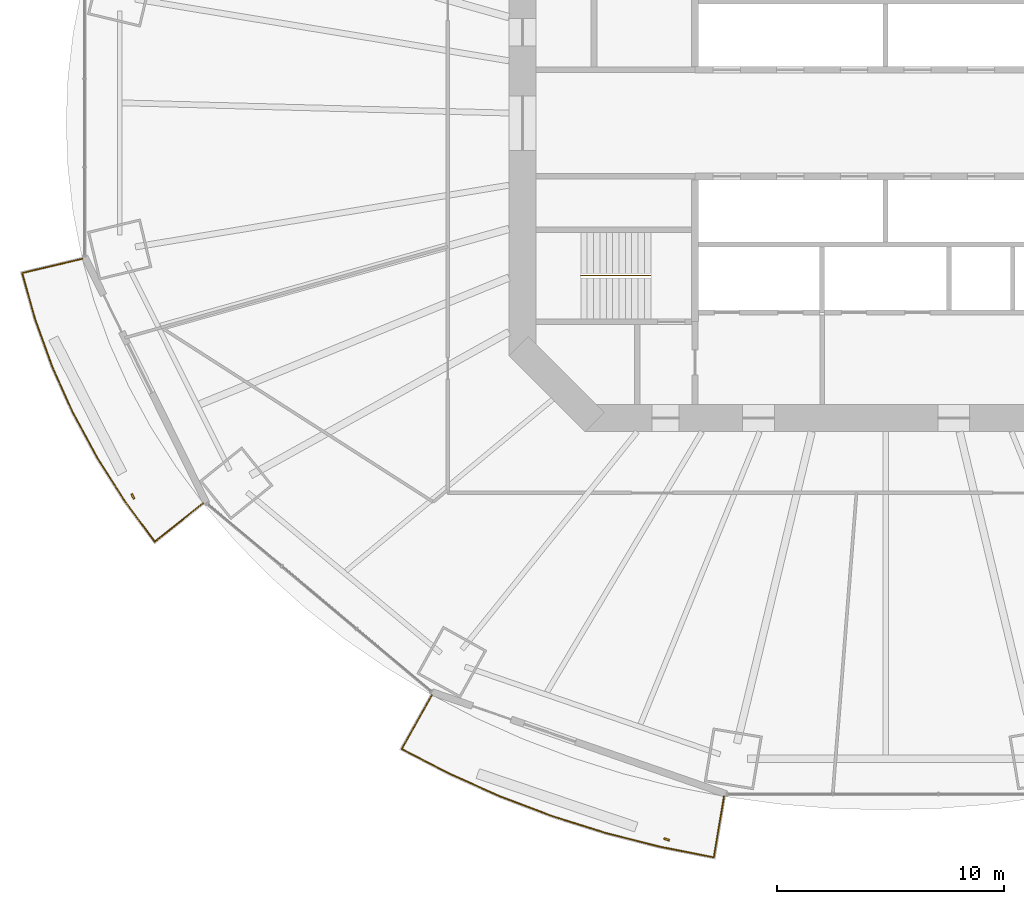
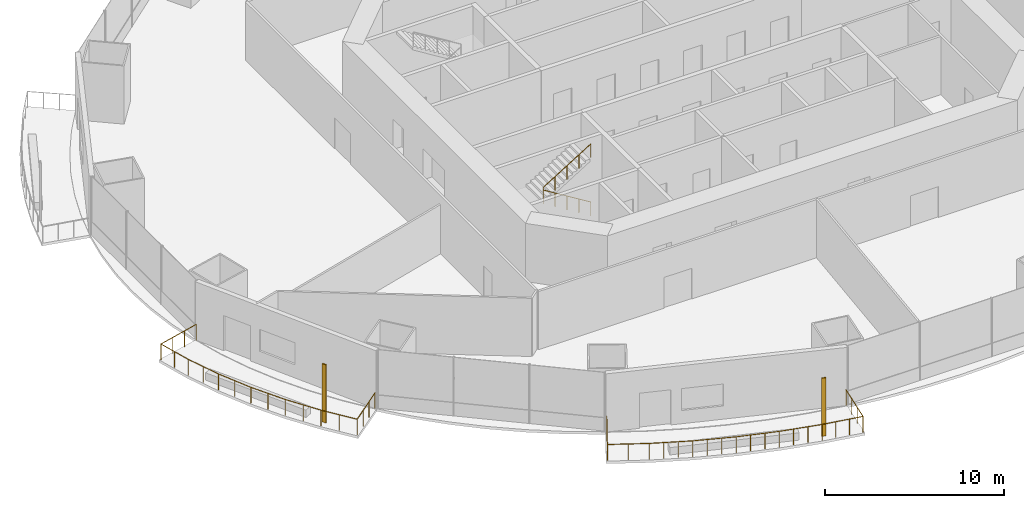
# One storey, part 18 of 23: 3 railings, 2 shading devices.
"""IFC4 building model written with IfcOpenShell, lengths in metres."""

import ifcopenshell
import ifcopenshell.guid

model = None  # the IFC model being written
_history = None  # IfcOwnerHistory: only IFC2X3 demands one
_inside = {}  # id of a spatial element -> (the spatial element, [elements in it])
_under = {}  # id of a project, library or spatial element -> (it, [spatial elements below it])
_declared = {}  # id of a project -> (the project, [libraries it declares])
_typed = {}  # id of a type object -> (the type object, [elements of that type])
_made_of = {}  # id of a material, layer set ... -> (it, [elements and type objects made of it])


def new_model(schema):
    """Start an empty IFC model of exactly this schema.

    Asked for "IFC4X3", IfcOpenShell would pick the latest addendum, in which some entities
    have other attributes; the version numbers below select the first issue.
    IFC2X3 requires an IfcOwnerHistory on every rooted entity: one is made here for all.
    """
    global model, _history
    if schema == "IFC4X3":
        model = ifcopenshell.file(schema_version=(4, 3, 0, 0))
    else:
        model = ifcopenshell.file(schema=schema)
    _inside.clear()
    _under.clear()
    _declared.clear()
    _typed.clear()
    _made_of.clear()
    _history = None
    if model.schema == "IFC2X3":
        org = make("IfcOrganization", Name="unknown")
        user = make(
            "IfcPersonAndOrganization",
            ThePerson=make("IfcPerson", FamilyName="unknown"),
            TheOrganization=org,
        )
        app = make(
            "IfcApplication",
            ApplicationDeveloper=org,
            Version="unknown",
            ApplicationFullName="unknown",
            ApplicationIdentifier="unknown",
        )
        _history = make(
            "IfcOwnerHistory",
            OwningUser=user,
            OwningApplication=app,
            ChangeAction="ADDED",
            CreationDate=0,
        )
    return model


def make(cls, **values):
    """One entity of the class cls with the attributes given. An attribute that is None is left unset."""
    return model.create_entity(
        cls, **{name: value for name, value in values.items() if value is not None}
    )


def rooted(cls, **values):
    """An entity with a GlobalId (a new one), such as an element, a storey or a relation."""
    return make(cls, GlobalId=ifcopenshell.guid.new(), OwnerHistory=_history, **values)


def si_unit(unit_type, name, prefix=None):
    """IfcSIUnit, for example si_unit("LENGTHUNIT", "METRE", prefix="MILLI")."""
    return make("IfcSIUnit", UnitType=unit_type, Prefix=prefix, Name=name)


def assignment(units):
    """IfcUnitAssignment: the units of a project."""
    return None if units is None else make("IfcUnitAssignment", Units=units)


def point(xyz):
    """IfcCartesianPoint."""
    return None if xyz is None else make("IfcCartesianPoint", Coordinates=xyz)


def direction(xyz):
    """IfcDirection."""
    return None if xyz is None else make("IfcDirection", DirectionRatios=xyz)


def frame(location, z_axis=None, x_axis=None):
    """IfcAxis2Placement3D, a coordinate frame: its origin and axes. An axis left out is left unset."""
    return make(
        "IfcAxis2Placement3D",
        Location=point(location),
        Axis=direction(z_axis),
        RefDirection=direction(x_axis),
    )


def frame_2d(location, x_axis=None):
    """IfcAxis2Placement2D, a coordinate frame in the plane: its origin and x axis."""
    return make(
        "IfcAxis2Placement2D", Location=point(location), RefDirection=direction(x_axis)
    )


def origin():
    """The frame at (0, 0, 0) with its axes left unset."""
    return frame((0.0, 0.0, 0.0))


def origin_2d():
    """The frame at (0, 0) in the plane with its x axis left unset."""
    return frame_2d((0.0, 0.0))


def place(relative_to, where):
    """IfcLocalPlacement: puts the frame where relative to a parent placement (None: the world)."""
    return make(
        "IfcLocalPlacement", PlacementRelTo=relative_to, RelativePlacement=where
    )


def context(
    kind, dimensions, precision=None, world=None, true_north=None, identifier=None
):
    """IfcGeometricRepresentationContext, for example the 3D "Model" context."""
    return make(
        "IfcGeometricRepresentationContext",
        ContextIdentifier=identifier,
        ContextType=kind,
        CoordinateSpaceDimension=dimensions,
        Precision=precision,
        WorldCoordinateSystem=world,
        TrueNorth=true_north,
    )


def subcontext(parent, identifier, kind, view, scale=None):
    """IfcGeometricRepresentationSubContext, for example "Body" below "Model"."""
    return make(
        "IfcGeometricRepresentationSubContext",
        ContextIdentifier=identifier,
        ContextType=kind,
        ParentContext=parent,
        TargetScale=scale,
        TargetView=view,
    )


def project(units=None, contexts=None):
    """IfcProject with its units and contexts."""
    return rooted(
        "IfcProject",
        Name="project",
        RepresentationContexts=contexts,
        UnitsInContext=assignment(units),
    )


def spatial(cls, under=None, at=None, **own):
    """A site, building, storey or space (cls), placed at a placement, below another one or the project."""
    s = rooted(cls, ObjectPlacement=at, **own)
    if under is not None:
        _under.setdefault(under.id(), (under, []))[1].append(s)
    return s


def profile(cls, at=None, kind="AREA", **sizes):
    """A parametric profile (cls). Its sizes go by their IFC names, for example OverallWidth=200.0."""
    return make(cls, ProfileType=kind, Position=at, **sizes)


def rectangle(**sizes):
    """IfcRectangleProfileDef."""
    return profile("IfcRectangleProfileDef", **sizes)


def circle(**sizes):
    """IfcCircleProfileDef."""
    return profile("IfcCircleProfileDef", **sizes)


def extrude(swept, where, along, depth):
    """IfcExtrudedAreaSolid: the profile swept, set in the frame where, extruded along a direction by depth."""
    return make(
        "IfcExtrudedAreaSolid",
        SweptArea=swept,
        Position=where,
        ExtrudedDirection=direction(along),
        Depth=depth,
    )


def shape(context_of_items, identifier, shape_type, items):
    """IfcShapeRepresentation: the items that make up one representation, for example the "Body"."""
    return make(
        "IfcShapeRepresentation",
        ContextOfItems=context_of_items,
        RepresentationIdentifier=identifier,
        RepresentationType=shape_type,
        Items=items,
    )


def material(Name=None, Category=None):
    """IfcMaterial."""
    return make("IfcMaterial", Name=Name, Category=Category)


def material_profile(
    of_material, cross_section, Name=None, Category=None, Priority=None
):
    """IfcMaterialProfile: a cross section and its material."""
    return make(
        "IfcMaterialProfile",
        Name=Name,
        Material=of_material,
        Profile=cross_section,
        Priority=Priority,
        Category=Category,
    )


def profile_set(profiles, Name=None, composite=None):
    """IfcMaterialProfileSet."""
    return make(
        "IfcMaterialProfileSet",
        Name=Name,
        MaterialProfiles=profiles,
        CompositeProfile=composite,
    )


def made_of(thing, what):
    """Note that an element or type object is made of a material, layer set ...; save() writes the relation."""
    if what is not None:
        _made_of.setdefault(what.id(), (what, []))[1].append(thing)
    return thing


def type_object(cls, material=None, **own):
    """A type object (cls), such as IfcWallType, which elements share."""
    return made_of(rooted(cls, **own), material)


def element(
    cls,
    number,
    at=None,
    inside=None,
    cuts=None,
    type_object=None,
    material=None,
    context=None,
    identifier="Body",
    shape_type=None,
    held_by="IfcProductDefinitionShape",
    body=None,
    shapes=None,
    **own,
):
    """One element of the class cls, such as IfcWall. Its Tag is "e" and its number.

    at: its placement. inside: the storey or other place that contains it. cuts: it is an
    opening in that element (IfcRelVoidsElement). A single representation is given by context,
    identifier, shape_type and body (its items); several are given by shapes. held_by: the class
    of the entity that holds the representations. save() writes the other relations.
    """
    e = rooted(cls, Tag="e%d" % number, ObjectPlacement=at, **own)
    if body is not None:
        shapes = [shape(context, identifier, shape_type, body)]
    if shapes is not None:
        e.Representation = make(held_by, Representations=shapes)
    if inside is not None:
        _inside.setdefault(inside.id(), (inside, []))[1].append(e)
    if cuts is not None:
        rooted(
            "IfcRelVoidsElement", RelatingBuildingElement=cuts, RelatedOpeningElement=e
        )
    if type_object is not None:
        _typed.setdefault(type_object.id(), (type_object, []))[1].append(e)
    return made_of(e, material)


def aggregate(whole, parts):
    """IfcRelAggregates: a whole, such as a stair, and the parts it consists of."""
    return rooted("IfcRelAggregates", RelatingObject=whole, RelatedObjects=parts)


def save(model, path):
    """Write the relations noted so far, then the file.

    IfcRelAggregates (storeys below a building ...), IfcRelContainedInSpatialStructure (elements
    in a storey), IfcRelDefinesByType, IfcRelAssociatesMaterial and IfcRelDeclares: one each for
    every whole, place, type object, material and project.
    """
    for whole, parts in _under.values():
        aggregate(whole, parts)
    for where, things in _inside.values():
        rooted(
            "IfcRelContainedInSpatialStructure",
            RelatedElements=things,
            RelatingStructure=where,
        )
    for kind, things in _typed.values():
        rooted("IfcRelDefinesByType", RelatedObjects=things, RelatingType=kind)
    for what, things in _made_of.values():
        rooted("IfcRelAssociatesMaterial", RelatedObjects=things, RelatingMaterial=what)
    for by, libraries in _declared.values():
        rooted("IfcRelDeclares", RelatingContext=by, RelatedDefinitions=libraries)
    model.write(path)


model = new_model("IFC4")

# Units and contexts
model_context = context("Model", 3, precision=1e-05, world=origin(), true_north=direction((0.0, 1.0)))
body_context = subcontext(model_context, "Body", "Model", "MODEL_VIEW")
ifc_project = project(units=[si_unit("LENGTHUNIT", "METRE"), si_unit("AREAUNIT", "SQUARE_METRE"), si_unit("VOLUMEUNIT", "CUBIC_METRE"), si_unit("PLANEANGLEUNIT", "RADIAN"), si_unit("MASSUNIT", "GRAM", prefix="KILO")], contexts=[model_context])

# Site, building, storey
site_placement = place(None, origin())
site = spatial("IfcSite", under=ifc_project, at=site_placement, CompositionType="ELEMENT")
building_placement = place(site_placement, origin())
building = spatial("IfcBuilding", under=site, at=building_placement, Name="Marenthal Gate Tower", CompositionType="ELEMENT")
storey_placement = place(building_placement, frame((0.0, 0.0, 62.050048828125)))
storey = spatial("IfcBuildingStorey", under=building, at=storey_placement, Name="L11", CompositionType="ELEMENT", Elevation=62.050048828125)

# Railings
ifc_material_1 = material(Name="Stainless steel", Category="steel")
railing_type_1 = type_object("IfcRailingType", Name="Balcony guard 1100", PredefinedType="GUARDRAIL", material=ifc_material_1)
railing_1_placement = place(storey_placement, frame((-30.078369140625, -16.754150390625, 0.0)))
element("IfcRailing", 1, at=railing_1_placement, inside=storey, type_object=railing_type_1, Name="Balcony guard L11 bay 9", PredefinedType="GUARDRAIL", context=body_context, shape_type="SweptSolid", body=[
    extrude(circle(Radius=0.02392578125, at=origin_2d()), frame((0.0, 0.0, 1.076171875), z_axis=(-0.782104673264, -0.6229732083, -0.014719436128), x_axis=(0.623040706516, -0.782189413137, 0.0)), (0.0, 0.0, 1.0), 2.72021484375),
    extrude(circle(Radius=0.02392578125, at=origin_2d()), frame((-2.12744140625, -1.694580078125, 1.0361328125), z_axis=(-0.59484873049, 0.803837662613, 0.0), x_axis=(-0.803837662613, -0.59484873049, 0.0)), (0.0, 0.0, 1.0), 2.204345703125),
    extrude(circle(Radius=0.02392578125, at=origin_2d()), frame((-3.438720703125, 0.077392578125, 1.0361328125), z_axis=(-0.537628198706, 0.843182020655, 0.0), x_axis=(-0.843182020655, -0.537628198706, 0.0)), (0.0, 0.0, 1.0), 2.26611328125),
    extrude(circle(Radius=0.02392578125, at=origin_2d()), frame((-4.656982421875, 1.988037109375, 1.0361328125), z_axis=(-0.475471623431, 0.879731058513, 0.0), x_axis=(-0.879731058513, -0.475471623431, 0.0)), (0.0, 0.0, 1.0), 2.2490234375),
    extrude(circle(Radius=0.02392578125, at=origin_2d()), frame((-5.726318359375, 3.966552734375, 1.0361328125), z_axis=(-0.40966465878, 0.912236190549, 0.0), x_axis=(-0.912236190549, -0.40966465878, 0.0)), (0.0, 0.0, 1.0), 2.233642578125),
    extrude(circle(Radius=0.02392578125, at=origin_2d()), frame((-6.641357421875, 6.004150390625, 1.0361328125), z_axis=(-0.340268465621, 0.94032833165, 0.0), x_axis=(-0.94032833165, -0.340268465621, 0.0)), (0.0, 0.0, 1.0), 2.220703125),
    extrude(circle(Radius=0.02392578125, at=origin_2d()), frame((-7.39697265625, 8.09228515625, 1.0361328125), z_axis=(-0.269464118276, 0.96301043035, 0.0), x_axis=(-0.96301043035, -0.269464118276, 0.0)), (0.0, 0.0, 1.0), 2.130126953125),
    extrude(circle(Radius=0.02392578125, at=origin_2d()), frame((-7.970947265625, 10.1435546875, 1.0361328125), z_axis=(0.972926666051, 0.23064491576, 0.014718196959), x_axis=(-0.230669901584, 0.973032063451, 0.0)), (0.0, 0.0, 1.0), 2.720458984375),
    extrude(circle(Radius=0.02099609375, at=origin_2d()), origin(), (0.0, 0.0, 1.0), 1.052001953125),
    extrude(circle(Radius=0.02099609375, at=origin_2d()), frame((-0.709228515625, -0.56494140625, -0.013427734375)), (0.0, 0.0, 1.0), 1.052001953125),
    extrude(circle(Radius=0.02099609375, at=origin_2d()), frame((-1.418212890625, -1.129638671875, -0.026611328125)), (0.0, 0.0, 1.0), 1.052001953125),
    extrude(circle(Radius=0.02099609375, at=origin_2d()), frame((-2.12744140625, -1.694580078125, -0.0400390625)), (0.0, 0.0, 1.0), 1.052001953125),
    extrude(circle(Radius=0.02099609375, at=origin_2d()), frame((-2.783203125, -0.80859375, -0.0400390625)), (0.0, 0.0, 1.0), 1.052001953125),
    extrude(circle(Radius=0.02099609375, at=origin_2d()), frame((-3.438720703125, 0.077392578125, -0.0400390625)), (0.0, 0.0, 1.0), 1.052001953125),
    extrude(circle(Radius=0.02099609375, at=origin_2d()), frame((-4.0478515625, 1.03271484375, -0.0400390625)), (0.0, 0.0, 1.0), 1.052001953125),
    extrude(circle(Radius=0.02099609375, at=origin_2d()), frame((-4.656982421875, 1.988037109375, -0.0400390625)), (0.0, 0.0, 1.0), 1.052001953125),
    extrude(circle(Radius=0.02099609375, at=origin_2d()), frame((-5.191650390625, 2.977294921875, -0.0400390625)), (0.0, 0.0, 1.0), 1.052001953125),
    extrude(circle(Radius=0.02099609375, at=origin_2d()), frame((-5.726318359375, 3.966552734375, -0.0400390625)), (0.0, 0.0, 1.0), 1.052001953125),
    extrude(circle(Radius=0.02099609375, at=origin_2d()), frame((-6.183837890625, 4.9853515625, -0.0400390625)), (0.0, 0.0, 1.0), 1.052001953125),
    extrude(circle(Radius=0.02099609375, at=origin_2d()), frame((-6.641357421875, 6.004150390625, -0.0400390625)), (0.0, 0.0, 1.0), 1.052001953125),
    extrude(circle(Radius=0.02099609375, at=origin_2d()), frame((-7.01904296875, 7.04833984375, -0.0400390625)), (0.0, 0.0, 1.0), 1.052001953125),
    extrude(circle(Radius=0.02099609375, at=origin_2d()), frame((-7.39697265625, 8.09228515625, -0.0400390625)), (0.0, 0.0, 1.0), 1.052001953125),
    extrude(circle(Radius=0.02099609375, at=origin_2d()), frame((-7.68408203125, 9.117919921875, -0.0400390625)), (0.0, 0.0, 1.0), 1.052001953125),
    extrude(circle(Radius=0.02099609375, at=origin_2d()), frame((-7.970947265625, 10.1435546875, -0.0400390625)), (0.0, 0.0, 1.0), 1.052001953125),
    extrude(circle(Radius=0.02099609375, at=origin_2d()), frame((-7.088623046875, 10.352783203125, -0.026611328125)), (0.0, 0.0, 1.0), 1.052001953125),
    extrude(circle(Radius=0.02099609375, at=origin_2d()), frame((-6.20654296875, 10.561767578125, -0.013427734375)), (0.0, 0.0, 1.0), 1.052001953125),
    extrude(circle(Radius=0.02099609375, at=origin_2d()), frame((-5.32421875, 10.77099609375, 0.0)), (0.0, 0.0, 1.0), 1.052001953125),
])
railing_2_placement = place(storey_placement, frame((-7.12451171875, -29.67431640625, 0.0)))
element("IfcRailing", 2, at=railing_2_placement, inside=storey, type_object=railing_type_1, Name="Balcony guard L11 bay 11", PredefinedType="GUARDRAIL", context=body_context, shape_type="SweptSolid", body=[
    extrude(circle(Radius=0.02392578125, at=origin_2d()), frame((0.0, 0.0, 1.076171875), z_axis=(-0.164599482451, -0.986250661205, -0.014718819587), x_axis=(0.986357511038, -0.164617315064, 0.0)), (0.0, 0.0, 1.0), 2.72021484375),
    extrude(circle(Radius=0.02392578125, at=origin_2d()), frame((-0.44775390625, -2.682861328125, 1.0361328125), z_axis=(-0.981247114518, 0.192753988932, 0.0), x_axis=(-0.192753988932, -0.981247114518, 0.0)), (0.0, 0.0, 1.0), 2.416748046875),
    extrude(circle(Radius=0.02392578125, at=origin_2d()), frame((-2.819091796875, -2.217041015625, 1.0361328125), z_axis=(-0.969164557422, 0.24641440834, 0.0), x_axis=(-0.24641440834, -0.969164557422, 0.0)), (0.0, 0.0, 1.0), 2.48681640625),
    extrude(circle(Radius=0.02392578125, at=origin_2d()), frame((-5.229248046875, -1.604248046875, 1.0361328125), z_axis=(-0.953670609563, 0.300852735495, 0.0), x_axis=(-0.300852735495, -0.953670609563, 0.0)), (0.0, 0.0, 1.0), 2.474365234375),
    extrude(circle(Radius=0.02392578125, at=origin_2d()), frame((-7.5888671875, -0.85986328125, 1.0361328125), z_axis=(-0.934856725019, 0.355025215564, 0.0), x_axis=(-0.355025215564, -0.934856725019, 0.0)), (0.0, 0.0, 1.0), 2.459716796875),
    extrude(circle(Radius=0.02392578125, at=origin_2d()), frame((-9.888427734375, 0.013427734375, 1.0361328125), z_axis=(-0.912604464389, 0.408843602833, 0.0), x_axis=(-0.408843602833, -0.912604464389, 0.0)), (0.0, 0.0, 1.0), 2.443603515625),
    extrude(circle(Radius=0.02392578125, at=origin_2d()), frame((-12.118408203125, 1.012451171875, 1.0361328125), z_axis=(-0.887238949587, 0.461310141159, 0.0), x_axis=(-0.461310141159, -0.887238949587, 0.0)), (0.0, 0.0, 1.0), 2.34619140625),
    extrude(circle(Radius=0.02392578125, at=origin_2d()), frame((-14.199951171875, 2.0947265625, 1.0361328125), z_axis=(0.488848293332, 0.872244641619, 0.014718399138), x_axis=(-0.872339134705, 0.488901251851, 0.0)), (0.0, 0.0, 1.0), 2.720458984375),
    extrude(circle(Radius=0.02099609375, at=origin_2d()), origin(), (0.0, 0.0, 1.0), 1.052001953125),
    extrude(circle(Radius=0.02099609375, at=origin_2d()), frame((-0.149169921875, -0.894287109375, -0.013427734375)), (0.0, 0.0, 1.0), 1.052001953125),
    extrude(circle(Radius=0.02099609375, at=origin_2d()), frame((-0.298583984375, -1.78857421875, -0.026611328125)), (0.0, 0.0, 1.0), 1.052001953125),
    extrude(circle(Radius=0.02099609375, at=origin_2d()), frame((-0.44775390625, -2.682861328125, -0.0400390625)), (0.0, 0.0, 1.0), 1.052001953125),
    extrude(circle(Radius=0.02099609375, at=origin_2d()), frame((-1.23828125, -2.527587890625, -0.0400390625)), (0.0, 0.0, 1.0), 1.052001953125),
    extrude(circle(Radius=0.02099609375, at=origin_2d()), frame((-2.028564453125, -2.372314453125, -0.0400390625)), (0.0, 0.0, 1.0), 1.052001953125),
    extrude(circle(Radius=0.02099609375, at=origin_2d()), frame((-2.819091796875, -2.217041015625, -0.0400390625)), (0.0, 0.0, 1.0), 1.052001953125),
    extrude(circle(Radius=0.02099609375, at=origin_2d()), frame((-3.62255859375, -2.0126953125, -0.0400390625)), (0.0, 0.0, 1.0), 1.052001953125),
    extrude(circle(Radius=0.02099609375, at=origin_2d()), frame((-4.42578125, -1.80859375, -0.0400390625)), (0.0, 0.0, 1.0), 1.052001953125),
    extrude(circle(Radius=0.02099609375, at=origin_2d()), frame((-5.229248046875, -1.604248046875, -0.0400390625)), (0.0, 0.0, 1.0), 1.052001953125),
    extrude(circle(Radius=0.02099609375, at=origin_2d()), frame((-6.015869140625, -1.356201171875, -0.0400390625)), (0.0, 0.0, 1.0), 1.052001953125),
    extrude(circle(Radius=0.02099609375, at=origin_2d()), frame((-6.80224609375, -1.10791015625, -0.0400390625)), (0.0, 0.0, 1.0), 1.052001953125),
    extrude(circle(Radius=0.02099609375, at=origin_2d()), frame((-7.5888671875, -0.85986328125, -0.0400390625)), (0.0, 0.0, 1.0), 1.052001953125),
    extrude(circle(Radius=0.02099609375, at=origin_2d()), frame((-8.35546875, -0.56884765625, -0.0400390625)), (0.0, 0.0, 1.0), 1.052001953125),
    extrude(circle(Radius=0.02099609375, at=origin_2d()), frame((-9.121826171875, -0.277587890625, -0.0400390625)), (0.0, 0.0, 1.0), 1.052001953125),
    extrude(circle(Radius=0.02099609375, at=origin_2d()), frame((-9.888427734375, 0.013427734375, -0.0400390625)), (0.0, 0.0, 1.0), 1.052001953125),
    extrude(circle(Radius=0.02099609375, at=origin_2d()), frame((-10.6318359375, 0.346435546875, -0.0400390625)), (0.0, 0.0, 1.0), 1.052001953125),
    extrude(circle(Radius=0.02099609375, at=origin_2d()), frame((-11.375, 0.679443359375, -0.0400390625)), (0.0, 0.0, 1.0), 1.052001953125),
    extrude(circle(Radius=0.02099609375, at=origin_2d()), frame((-12.118408203125, 1.012451171875, -0.0400390625)), (0.0, 0.0, 1.0), 1.052001953125),
    extrude(circle(Radius=0.02099609375, at=origin_2d()), frame((-13.1591796875, 1.5537109375, -0.0400390625)), (0.0, 0.0, 1.0), 1.052001953125),
    extrude(circle(Radius=0.02099609375, at=origin_2d()), frame((-14.199951171875, 2.0947265625, -0.0400390625)), (0.0, 0.0, 1.0), 1.052001953125),
    extrude(circle(Radius=0.02099609375, at=origin_2d()), frame((-13.756591796875, 2.8857421875, -0.026611328125)), (0.0, 0.0, 1.0), 1.052001953125),
    extrude(circle(Radius=0.02099609375, at=origin_2d()), frame((-13.3134765625, 3.676513671875, -0.013427734375)), (0.0, 0.0, 1.0), 1.052001953125),
    extrude(circle(Radius=0.02099609375, at=origin_2d()), frame((-12.8701171875, 4.467529296875, 0.0)), (0.0, 0.0, 1.0), 1.052001953125),
])
ifc_material_2 = material(Name="Stainless steel", Category="steel")
railing_type_2 = type_object("IfcRailingType", Name="Stair handrail", PredefinedType="HANDRAIL", material=ifc_material_2)
railing_3_placement = place(storey_placement, frame((-10.35009765625, -6.72509765625, 0.1728515625)))
element("IfcRailing", 3, at=railing_3_placement, inside=storey, type_object=railing_type_2, Name="Handrail ST2", PredefinedType="HANDRAIL", context=body_context, shape_type="SweptSolid", body=[
    extrude(circle(Radius=0.0224609375, at=origin_2d()), frame((0.0, 0.0, 0.927490234375), z_axis=(-0.850816621229, 0.0, 0.525462726595), x_axis=(0.0, -1.0, 0.0)), (0.0, 0.0, 1.0), 3.619873046875),
    extrude(circle(Radius=0.0224609375, at=origin_2d()), frame((-3.079833984375, 0.0, 2.82958984375), z_axis=(0.0, 0.0, 1.0), x_axis=(1.0, 0.0, 0.0)), (0.0, 0.0, 1.0), 0.1728515625),
    extrude(circle(Radius=0.0224609375, at=origin_2d()), frame((-3.079833984375, 0.0, 3.00244140625), z_axis=(0.850816621229, 0.0, 0.525462726595), x_axis=(0.0, 1.0, 0.0)), (0.0, 0.0, 1.0), 3.619873046875),
    extrude(circle(Radius=0.02001953125, at=origin_2d()), origin(), (0.0, 0.0, 1.0), 0.905029296875),
    extrude(circle(Radius=0.02001953125, at=origin_2d()), frame((-0.77001953125, 0.0, 0.4755859375)), (0.0, 0.0, 1.0), 0.905029296875),
    extrude(circle(Radius=0.02001953125, at=origin_2d()), frame((-1.5400390625, 0.0, 0.951171875)), (0.0, 0.0, 1.0), 0.905029296875),
    extrude(circle(Radius=0.02001953125, at=origin_2d()), frame((-2.309814453125, 0.0, 1.426513671875)), (0.0, 0.0, 1.0), 0.905029296875),
    extrude(circle(Radius=0.02001953125, at=origin_2d()), frame((-3.079833984375, 0.0, 1.902099609375)), (0.0, 0.0, 1.0), 0.905029296875),
    extrude(circle(Radius=0.02001953125, at=origin_2d()), frame((-3.079833984375, 0.0, 2.074951171875)), (0.0, 0.0, 1.0), 0.905029296875),
    extrude(circle(Radius=0.02001953125, at=origin_2d()), frame((-2.309814453125, 0.0, 2.550537109375)), (0.0, 0.0, 1.0), 0.905029296875),
    extrude(circle(Radius=0.02001953125, at=origin_2d()), frame((-1.5400390625, 0.0, 3.02587890625)), (0.0, 0.0, 1.0), 0.905029296875),
    extrude(circle(Radius=0.02001953125, at=origin_2d()), frame((-0.77001953125, 0.0, 3.50146484375)), (0.0, 0.0, 1.0), 0.905029296875),
    extrude(circle(Radius=0.02001953125, at=origin_2d()), frame((0.0, 0.0, 3.97705078125)), (0.0, 0.0, 1.0), 0.905029296875),
])

# Shading devices
ifc_material_3 = material(Name="Terracotta", Category="masonry")
ifc_material_profile = material_profile(ifc_material_3, rectangle(XDim=0.25, YDim=0.080078125, at=origin_2d()), Name="Terracotta baguette 250x80")
ifc_profile_set = profile_set([ifc_material_profile], Name="Terracotta")
shading_device_type = type_object("IfcShadingDeviceType", Name="Terracotta BAGUETTE SCREEN 250x80", PredefinedType="USERDEFINED", material=ifc_profile_set)
for number, where, z_axis, x_axis, name in (
    (4, (-33.17041015625, -16.453125, -0.0400390625), (0.0, 0.0, 1.0), (0.442993196296, -0.896524973459, 0.0), "Terracotta BAGUETTE L11 bay 9R"),
    (5, (-9.651123046875, -31.56787109375, -0.0400390625), (0.0, 0.0, 1.0), (0.944672154092, -0.32801603815, 0.0), "Terracotta BAGUETTE L11 bay 11R"),
):
    element("IfcShadingDevice", number, at=place(storey_placement, frame(where, z_axis=z_axis, x_axis=x_axis)), inside=storey, type_object=shading_device_type, Name=name, ObjectType="BAGUETTE SCREEN", PredefinedType="USERDEFINED", context=body_context, shape_type="SweptSolid", body=[
        extrude(rectangle(XDim=0.25, YDim=0.080078125, at=origin_2d()), origin(), (0.0, 0.0, 1.0), 3.969970703125),
    ])

save(model, "model.ifc")
